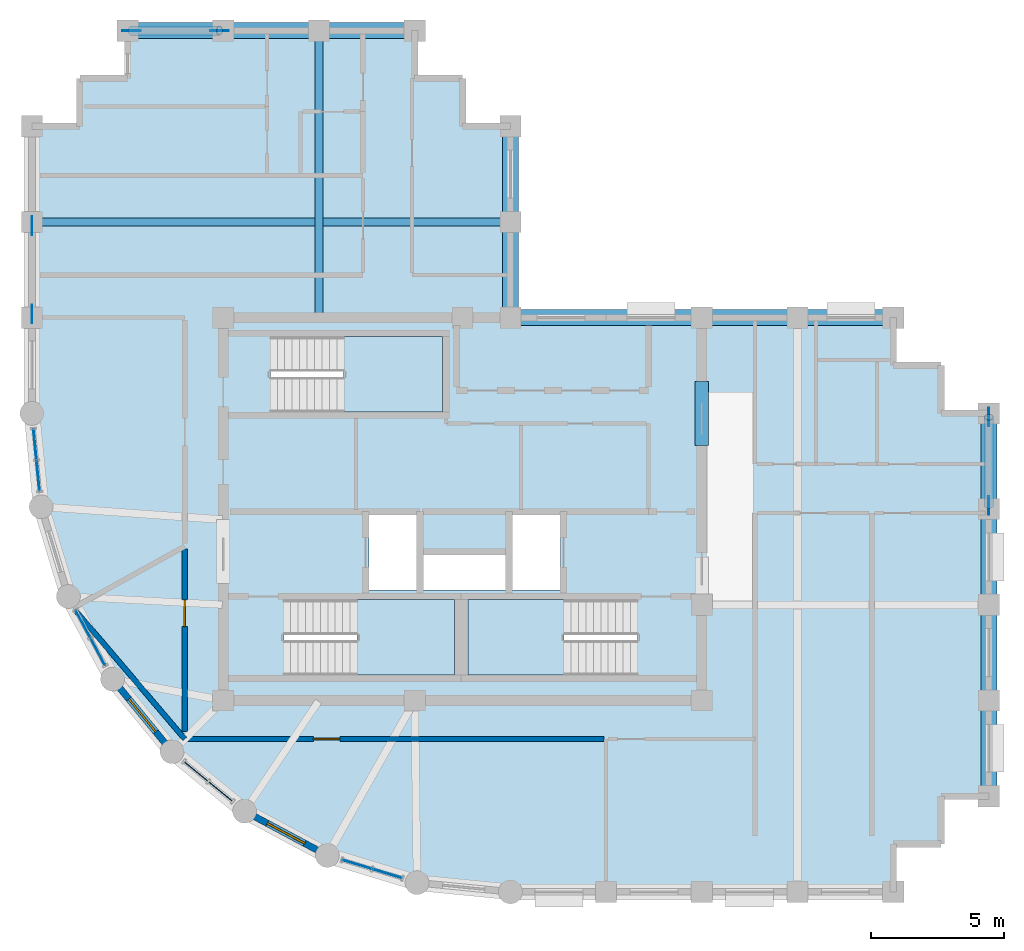
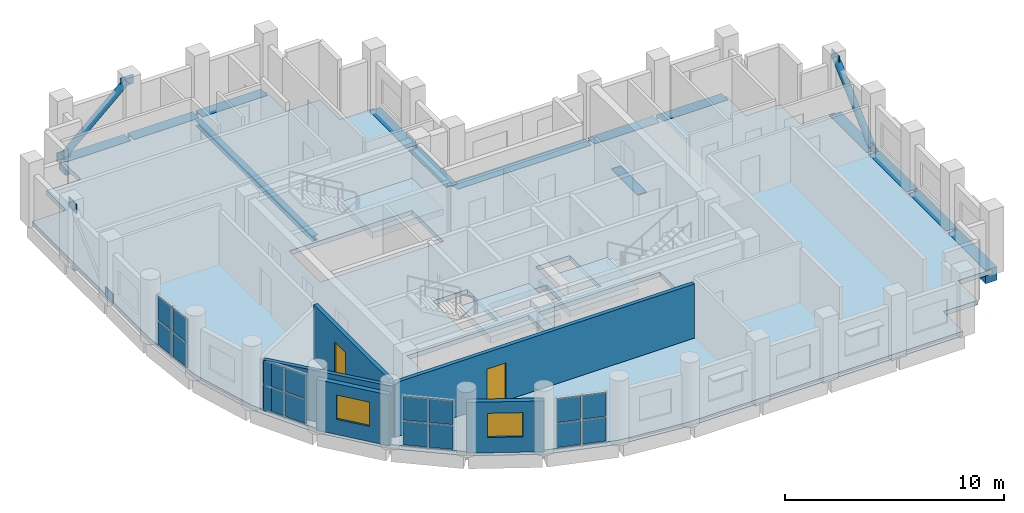
# One storey, part 6 of 11: 22 plates, 15 beams, 5 walls, 4 slabs, 2 doors, 2 members, 2 windows, 4 openings, 7 elements without a shape of their own.
"""IFC4 building model written with IfcOpenShell, lengths in metres."""

from ifc_helpers import new_model, si_unit, direction, frame, frame_2d, origin, origin_2d, place, context, subcontext, project, spatial, polyline, rectangle, hollow_circle, i_section, outline, extrude, material, layer, layer_set, material_profile, profile_set, type_object, element, fill, aggregate, save


model = new_model("IFC4")

# Units and contexts
model_context = context("Model", 3, precision=1e-05, world=origin(), true_north=direction((0.0, 1.0)))
body_context = subcontext(model_context, "Body", "Model", "MODEL_VIEW")
ifc_project = project(units=[si_unit("LENGTHUNIT", "METRE"), si_unit("AREAUNIT", "SQUARE_METRE"), si_unit("VOLUMEUNIT", "CUBIC_METRE"), si_unit("PLANEANGLEUNIT", "RADIAN"), si_unit("MASSUNIT", "GRAM", prefix="KILO")], contexts=[model_context])

# Site, building, storey
site_placement = place(None, origin())
site = spatial("IfcSite", under=ifc_project, at=site_placement, CompositionType="ELEMENT")
building_placement = place(site_placement, origin())
building = spatial("IfcBuilding", under=site, at=building_placement, Name="Solnavia Interchange Tower", CompositionType="ELEMENT")
storey_placement = place(building_placement, frame((0.0, 0.0, 273.800048828125)))
storey = spatial("IfcBuildingStorey", under=building, at=storey_placement, Name="L69", CompositionType="ELEMENT", Elevation=273.800048828125)

# Beams
ifc_material_1 = material(Name="Concrete C50/60", Category="concrete")
ifc_material_profile_1 = material_profile(ifc_material_1, rectangle(XDim=0.5, YDim=0.800048828125, at=origin_2d()), Name="RC 500x800")
ifc_profile_set_1 = profile_set([ifc_material_profile_1], Name="Concrete C50/60")
beam_type_1 = type_object("IfcBeamType", Name="Beam-Coupling-RC500x800", PredefinedType="LINTEL", material=ifc_profile_set_1)
beam_1_placement = place(storey_placement, frame((32.39990234375, 20.39990234375, -0.400146484375), z_axis=(0.0, 1.0, 0.0), x_axis=(-1.0, 0.0, 0.0)))
element("IfcBeam", 1, at=beam_1_placement, inside=storey, type_object=beam_type_1, Name="CPB-L69-E2 Core coupling lintel beam", PredefinedType="LINTEL", context=body_context, shape_type="SweptSolid", body=[
    extrude(rectangle(XDim=0.5, YDim=0.800048828125, at=origin_2d()), origin(), (0.0, 0.0, 1.0), 2.400146484375),
])
ifc_material_2 = material(Name="Steel S460", Category="steel")
ifc_material_profile_2 = material_profile(ifc_material_2, i_section(OverallWidth=0.300048828125, OverallDepth=0.300048828125, WebThickness=0.010986328125, FlangeThickness=0.01904296875, FilletRadius=0.027099609375, at=origin_2d()), Name="HEB 300")
ifc_profile_set_2 = profile_set([ifc_material_profile_2], Name="Steel S460")
beam_type_2 = type_object("IfcBeamType", Name="Beam-Girder-HEB300", PredefinedType="BEAM", material=ifc_profile_set_2)
beam_2_placement = place(storey_placement, frame((18.0, 25.280029296875, -0.400146484375), z_axis=(0.0, 1.0, 0.0), x_axis=(-1.0, 0.0, 0.0)))
element("IfcBeam", 2, at=beam_2_placement, inside=storey, type_object=beam_type_2, Name="GRD-L69-NS03 North wing spine girder", PredefinedType="BEAM", context=body_context, shape_type="SweptSolid", body=[
    extrude(i_section(OverallWidth=0.300048828125, OverallDepth=0.300048828125, WebThickness=0.010986328125, FlangeThickness=0.01904296875, FilletRadius=0.027099609375, at=origin_2d()), origin(), (0.0, 0.0, 1.0), 10.639892578125),
])
beam_3_placement = place(storey_placement, frame((7.280029296875, 28.800048828125, -0.400146484375), z_axis=(1.0, 0.0, 0.0), x_axis=(0.0, 1.0, 0.0)))
element("IfcBeam", 3, at=beam_3_placement, inside=storey, type_object=beam_type_2, Name="GRD-L69-NW04 North wing primary floor girder", PredefinedType="BEAM", context=body_context, shape_type="SweptSolid", body=[
    extrude(i_section(OverallWidth=0.300048828125, OverallDepth=0.300048828125, WebThickness=0.010986328125, FlangeThickness=0.01904296875, FilletRadius=0.027099609375, at=origin_2d()), origin(), (0.0, 0.0, 1.0), 17.840087890625),
])
ifc_material_profile_3 = material_profile(ifc_material_1, rectangle(XDim=0.60009765625, YDim=0.75, at=origin_2d()), Name="RC 600x750")
ifc_profile_set_3 = profile_set([ifc_material_profile_3], Name="Concrete C50/60")
beam_type_3 = type_object("IfcBeamType", Name="Beam-Spandrel-RC600x750", PredefinedType="SPANDREL", material=ifc_profile_set_3)
beam_4_placement = place(storey_placement, frame((43.199951171875, 7.280029296875, -0.375), z_axis=(0.0, 1.0, 0.0), x_axis=(-1.0, 0.0, 0.0)))
element("IfcBeam", 4, at=beam_4_placement, inside=storey, type_object=beam_type_3, Name="SPB-L69-13 Framed-tube perimeter spandrel beam", PredefinedType="SPANDREL", context=body_context, shape_type="SweptSolid", body=[
    extrude(rectangle(XDim=0.60009765625, YDim=0.75, at=origin_2d()), origin(), (0.0, 0.0, 1.0), 3.43994140625),
])
beam_5_placement = place(storey_placement, frame((43.199951171875, 10.8798828125, -0.375), z_axis=(0.0, 1.0, 0.0), x_axis=(-1.0, 0.0, 0.0)))
element("IfcBeam", 5, at=beam_5_placement, inside=storey, type_object=beam_type_3, Name="SPB-L69-14 Framed-tube perimeter spandrel beam", PredefinedType="SPANDREL", context=body_context, shape_type="SweptSolid", body=[
    extrude(rectangle(XDim=0.60009765625, YDim=0.75, at=origin_2d()), origin(), (0.0, 0.0, 1.0), 3.440185546875),
])
for number, where, z_axis, x_axis, name in (
    (6, (43.199951171875, 14.47998046875, -0.375), (0.0, 1.0, 0.0), (-1.0, 0.0, 0.0), "SPB-L69-15 Framed-tube perimeter spandrel beam"),
    (7, (43.199951171875, 18.080078125, -0.375), (0.0, 1.0, 0.0), (-1.0, 0.0, 0.0), "SPB-L69-16 Framed-tube perimeter spandrel beam"),
    (8, (39.52001953125, 25.199951171875, -0.375), (-1.0, 0.0, 0.0), (0.0, -1.0, 0.0), "SPB-L69-17 Framed-tube perimeter spandrel beam"),
    (9, (35.919921875, 25.199951171875, -0.375), (-1.0, 0.0, 0.0), (0.0, -1.0, 0.0), "SPB-L69-18 Framed-tube perimeter spandrel beam"),
):
    element("IfcBeam", number, at=place(storey_placement, frame(where, z_axis=z_axis, x_axis=x_axis)), inside=storey, type_object=beam_type_3, Name=name, PredefinedType="SPANDREL", context=body_context, shape_type="SweptSolid", body=[
        extrude(rectangle(XDim=0.60009765625, YDim=0.75, at=origin_2d()), origin(), (0.0, 0.0, 1.0), 3.43994140625),
    ])
beam_6_placement = place(storey_placement, frame((32.320068359375, 25.199951171875, -0.375), z_axis=(-1.0, 0.0, 0.0), x_axis=(0.0, -1.0, 0.0)))
element("IfcBeam", 10, at=beam_6_placement, inside=storey, type_object=beam_type_3, Name="SPB-L69-19 Framed-tube perimeter spandrel beam", PredefinedType="SPANDREL", context=body_context, shape_type="SweptSolid", body=[
    extrude(rectangle(XDim=0.60009765625, YDim=0.75, at=origin_2d()), origin(), (0.0, 0.0, 1.0), 7.0400390625),
])
beam_7_placement = place(storey_placement, frame((25.199951171875, 25.280029296875, -0.375), z_axis=(0.0, 1.0, 0.0), x_axis=(-1.0, 0.0, 0.0)))
element("IfcBeam", 11, at=beam_7_placement, inside=storey, type_object=beam_type_3, Name="SPB-L69-20 Framed-tube perimeter spandrel beam", PredefinedType="SPANDREL", context=body_context, shape_type="SweptSolid", body=[
    extrude(rectangle(XDim=0.60009765625, YDim=0.75, at=origin_2d()), origin(), (0.0, 0.0, 1.0), 3.43994140625),
])
beam_8_placement = place(storey_placement, frame((25.199951171875, 28.8798828125, -0.375), z_axis=(0.0, 1.0, 0.0), x_axis=(-1.0, 0.0, 0.0)))
element("IfcBeam", 12, at=beam_8_placement, inside=storey, type_object=beam_type_3, Name="SPB-L69-21 Framed-tube perimeter spandrel beam", PredefinedType="SPANDREL", context=body_context, shape_type="SweptSolid", body=[
    extrude(rectangle(XDim=0.60009765625, YDim=0.75, at=origin_2d()), origin(), (0.0, 0.0, 1.0), 3.440185546875),
])
for number, where, z_axis, x_axis, name in (
    (13, (21.52001953125, 36.0, -0.375), (-1.0, 0.0, 0.0), (0.0, -1.0, 0.0), "SPB-L69-22 Framed-tube perimeter spandrel beam"),
    (14, (17.919921875, 36.0, -0.375), (-1.0, 0.0, 0.0), (0.0, -1.0, 0.0), "SPB-L69-23 Framed-tube perimeter spandrel beam"),
):
    element("IfcBeam", number, at=place(storey_placement, frame(where, z_axis=z_axis, x_axis=x_axis)), inside=storey, type_object=beam_type_3, Name=name, PredefinedType="SPANDREL", context=body_context, shape_type="SweptSolid", body=[
        extrude(rectangle(XDim=0.60009765625, YDim=0.75, at=origin_2d()), origin(), (0.0, 0.0, 1.0), 3.43994140625),
    ])
beam_9_placement = place(storey_placement, frame((14.320068359375, 36.0, -0.375), z_axis=(-1.0, 0.0, 0.0), x_axis=(0.0, -1.0, 0.0)))
element("IfcBeam", 15, at=beam_9_placement, inside=storey, type_object=beam_type_3, Name="SPB-L69-24 Framed-tube perimeter spandrel beam", PredefinedType="SPANDREL", context=body_context, shape_type="SweptSolid", body=[
    extrude(rectangle(XDim=0.60009765625, YDim=0.75, at=origin_2d()), origin(), (0.0, 0.0, 1.0), 3.440185546875),
])

# Members
ifc_material_profile_4 = material_profile(ifc_material_2, hollow_circle(Radius=0.177734375, WallThickness=0.01611328125, at=origin_2d()), Name="CHS 355.6x16")
ifc_profile_set_4 = profile_set([ifc_material_profile_4], Name="Steel S460")
member_type = type_object("IfcMemberType", Name="Brace-Perim-CHS355", PredefinedType="BRACE", material=ifc_profile_set_4)
for number, where, z_axis, x_axis, name in (
    (16, (43.199951171875, 18.139892578125, 0.179931640625), (0.0, 0.74307946371, 0.669203190827), (-1.0, 0.0, 0.0), "BRC-L69-02 Perimeter tube diagonal brace"),
    (17, (10.93994140625, 36.0, 0.179931640625), (0.74307946371, 0.0, 0.669203190827), (0.0, 1.0, 0.0), "BRC-L69-03 Perimeter tube diagonal brace"),
):
    element("IfcMember", number, at=place(storey_placement, frame(where, z_axis=z_axis, x_axis=x_axis)), inside=storey, type_object=member_type, Name=name, PredefinedType="BRACE", context=body_context, shape_type="SweptSolid", body=[
        extrude(hollow_circle(Radius=0.177734375, WallThickness=0.01611328125, at=origin_2d()), origin(), (0.0, 0.0, 1.0), 4.468017578125),
    ])

# Curtain wall, plates
ifc_material_3 = material(Name="Aluminium Alloy 6063-T6", Category="aluminium")
ifc_layer_1 = layer(ifc_material_3, 0.239990234375)
ifc_layer_set_1 = layer_set([ifc_layer_1], Name="Aluminium Alloy 6063-T6")
curtain_wall_type = type_object("IfcCurtainWallType", Name="CurtainWall-Drum-CTW2", PredefinedType="NOTDEFINED", material=ifc_layer_set_1)
curtain_wall_1_placement = place(storey_placement, origin())
curtain_wall_1 = element("IfcCurtainWall", 18, at=curtain_wall_1_placement, inside=storey, type_object=curtain_wall_type, Name="CTW-L69-D37 CTW-2 curtain wall", PredefinedType="NOTDEFINED")
ifc_material_4 = material(Name="Double-Glazed Low-E IGU Glass", Category="glass")
ifc_layer_2 = layer(ifc_material_4, 0.031982421875)
ifc_layer_set_2 = layer_set([ifc_layer_2], Name="Double-Glazed Low-E IGU Glass")
plate_type_1 = type_object("IfcPlateType", Name="CW-Panel-Solar-32", PredefinedType="CURTAIN_PANEL", material=ifc_layer_set_2)
plate_1_placement = place(storey_placement, frame((7.314697265625, 20.435791015625, 0.06494140625), z_axis=(0.0, 0.0, 1.0), x_axis=(0.098043088306, -0.995182170678, 0.0)))
plate_1 = element("IfcPlate", 19, at=plate_1_placement, type_object=plate_type_1, Name="CTW-2 panel 1.1", PredefinedType="CURTAIN_PANEL", context=body_context, shape_type="SweptSolid", body=[
    extrude(rectangle(XDim=1.114501953125, YDim=0.031982421875, at=origin_2d()), origin(), (0.0, 0.0, 1.0), 1.3173828125),
])
plate_2_placement = place(storey_placement, frame((7.314697265625, 20.435791015625, 1.447509765625), z_axis=(0.0, 0.0, 1.0), x_axis=(0.098043088306, -0.995182170678, 0.0)))
plate_2 = element("IfcPlate", 20, at=plate_2_placement, type_object=plate_type_1, Name="CTW-2 panel 1.2", PredefinedType="CURTAIN_PANEL", context=body_context, shape_type="SweptSolid", body=[
    extrude(rectangle(XDim=1.114501953125, YDim=0.031982421875, at=origin_2d()), origin(), (0.0, 0.0, 1.0), 1.3173828125),
])
plate_3_placement = place(storey_placement, frame((7.431396484375, 19.252197265625, 0.06494140625), z_axis=(0.0, 0.0, 1.0), x_axis=(0.098043088306, -0.995182170678, 0.0)))
plate_3 = element("IfcPlate", 21, at=plate_3_placement, type_object=plate_type_1, Name="CTW-2 panel 2.1", PredefinedType="CURTAIN_PANEL", context=body_context, shape_type="SweptSolid", body=[
    extrude(rectangle(XDim=1.114501953125, YDim=0.031982421875, at=origin_2d()), origin(), (0.0, 0.0, 1.0), 1.3173828125),
])
plate_4_placement = place(storey_placement, frame((7.431396484375, 19.252197265625, 1.447509765625), z_axis=(0.0, 0.0, 1.0), x_axis=(0.098043088306, -0.995182170678, 0.0)))
plate_4 = element("IfcPlate", 22, at=plate_4_placement, type_object=plate_type_1, Name="CTW-2 panel 2.2", PredefinedType="CURTAIN_PANEL", context=body_context, shape_type="SweptSolid", body=[
    extrude(rectangle(XDim=1.114501953125, YDim=0.031982421875, at=origin_2d()), origin(), (0.0, 0.0, 1.0), 1.3173828125),
])
aggregate(curtain_wall_1, [plate_1, plate_2, plate_3, plate_4])

curtain_wall_2_placement = place(storey_placement, origin())
curtain_wall_2 = element("IfcCurtainWall", 23, at=curtain_wall_2_placement, inside=storey, type_object=curtain_wall_type, Name="CTW-L69-D39 CTW-2 curtain wall", PredefinedType="NOTDEFINED")
plate_5_placement = place(storey_placement, frame((9.12158203125, 13.680419921875, 0.06494140625), z_axis=(0.0, 0.0, 1.0), x_axis=(0.471560876964, -0.881833509976, 0.0)))
plate_5 = element("IfcPlate", 24, at=plate_5_placement, type_object=plate_type_1, Name="CTW-2 panel 1.1", PredefinedType="CURTAIN_PANEL", context=body_context, shape_type="SweptSolid", body=[
    extrude(rectangle(XDim=1.114501953125, YDim=0.031982421875, at=origin_2d()), origin(), (0.0, 0.0, 1.0), 1.3173828125),
])
plate_6_placement = place(storey_placement, frame((9.12158203125, 13.680419921875, 1.447509765625), z_axis=(0.0, 0.0, 1.0), x_axis=(0.471560876964, -0.881833509976, 0.0)))
plate_6 = element("IfcPlate", 25, at=plate_6_placement, type_object=plate_type_1, Name="CTW-2 panel 1.2", PredefinedType="CURTAIN_PANEL", context=body_context, shape_type="SweptSolid", body=[
    extrude(rectangle(XDim=1.114501953125, YDim=0.031982421875, at=origin_2d()), origin(), (0.0, 0.0, 1.0), 1.3173828125),
])
plate_7_placement = place(storey_placement, frame((9.682373046875, 12.631591796875, 0.06494140625), z_axis=(0.0, 0.0, 1.0), x_axis=(0.471560876964, -0.881833509976, 0.0)))
plate_7 = element("IfcPlate", 26, at=plate_7_placement, type_object=plate_type_1, Name="CTW-2 panel 2.1", PredefinedType="CURTAIN_PANEL", context=body_context, shape_type="SweptSolid", body=[
    extrude(rectangle(XDim=1.114501953125, YDim=0.031982421875, at=origin_2d()), origin(), (0.0, 0.0, 1.0), 1.3173828125),
])
plate_8_placement = place(storey_placement, frame((9.682373046875, 12.631591796875, 1.447509765625), z_axis=(0.0, 0.0, 1.0), x_axis=(0.471560876964, -0.881833509976, 0.0)))
plate_8 = element("IfcPlate", 27, at=plate_8_placement, type_object=plate_type_1, Name="CTW-2 panel 2.2", PredefinedType="CURTAIN_PANEL", context=body_context, shape_type="SweptSolid", body=[
    extrude(rectangle(XDim=1.114501953125, YDim=0.031982421875, at=origin_2d()), origin(), (0.0, 0.0, 1.0), 1.3173828125),
])
aggregate(curtain_wall_2, [plate_5, plate_6, plate_7, plate_8])

curtain_wall_3_placement = place(storey_placement, origin())
curtain_wall_3 = element("IfcCurtainWall", 28, at=curtain_wall_3_placement, inside=storey, type_object=curtain_wall_type, Name="CTW-L69-D41 CTW-2 curtain wall", PredefinedType="NOTDEFINED")
plate_9_placement = place(storey_placement, frame((13.376220703125, 8.130126953125, 0.06494140625), z_axis=(0.0, 0.0, 1.0), x_axis=(0.773103093557, -0.634280384951, 0.0)))
plate_9 = element("IfcPlate", 29, at=plate_9_placement, type_object=plate_type_1, Name="CTW-2 panel 1.1", PredefinedType="CURTAIN_PANEL", context=body_context, shape_type="SweptSolid", body=[
    extrude(rectangle(XDim=1.1142578125, YDim=0.031982421875, at=origin_2d()), origin(), (0.0, 0.0, 1.0), 1.3173828125),
])
plate_10_placement = place(storey_placement, frame((13.376220703125, 8.130126953125, 1.447509765625), z_axis=(0.0, 0.0, 1.0), x_axis=(0.773103093557, -0.634280384951, 0.0)))
plate_10 = element("IfcPlate", 30, at=plate_10_placement, type_object=plate_type_1, Name="CTW-2 panel 1.2", PredefinedType="CURTAIN_PANEL", context=body_context, shape_type="SweptSolid", body=[
    extrude(rectangle(XDim=1.1142578125, YDim=0.031982421875, at=origin_2d()), origin(), (0.0, 0.0, 1.0), 1.3173828125),
])
plate_11_placement = place(storey_placement, frame((14.295654296875, 7.375732421875, 0.06494140625), z_axis=(0.0, 0.0, 1.0), x_axis=(0.773103093557, -0.634280384951, 0.0)))
plate_11 = element("IfcPlate", 31, at=plate_11_placement, type_object=plate_type_1, Name="CTW-2 panel 2.1", PredefinedType="CURTAIN_PANEL", context=body_context, shape_type="SweptSolid", body=[
    extrude(rectangle(XDim=1.1142578125, YDim=0.031982421875, at=origin_2d()), origin(), (0.0, 0.0, 1.0), 1.3173828125),
])
plate_12_placement = place(storey_placement, frame((14.295654296875, 7.375732421875, 1.447509765625), z_axis=(0.0, 0.0, 1.0), x_axis=(0.773103093557, -0.634280384951, 0.0)))
plate_12 = element("IfcPlate", 32, at=plate_12_placement, type_object=plate_type_1, Name="CTW-2 panel 2.2", PredefinedType="CURTAIN_PANEL", context=body_context, shape_type="SweptSolid", body=[
    extrude(rectangle(XDim=1.1142578125, YDim=0.031982421875, at=origin_2d()), origin(), (0.0, 0.0, 1.0), 1.3173828125),
])
aggregate(curtain_wall_3, [plate_9, plate_10, plate_11, plate_12])

curtain_wall_4_placement = place(storey_placement, origin())
curtain_wall_4 = element("IfcCurtainWall", 33, at=curtain_wall_4_placement, inside=storey, type_object=curtain_wall_type, Name="CTW-L69-D43 CTW-2 curtain wall", PredefinedType="NOTDEFINED")
plate_13_placement = place(storey_placement, frame((19.43115234375, 4.630615234375, 0.06494140625), z_axis=(0.0, 0.0, 1.0), x_axis=(0.956942072515, -0.290278951786, 0.0)))
plate_13 = element("IfcPlate", 34, at=plate_13_placement, type_object=plate_type_1, Name="CTW-2 panel 1.1", PredefinedType="CURTAIN_PANEL", context=body_context, shape_type="SweptSolid", body=[
    extrude(rectangle(XDim=1.114013671875, YDim=0.031982421875, at=origin_2d()), origin(), (0.0, 0.0, 1.0), 1.3173828125),
])
plate_14_placement = place(storey_placement, frame((19.43115234375, 4.630615234375, 1.447509765625), z_axis=(0.0, 0.0, 1.0), x_axis=(0.956942072515, -0.290278951786, 0.0)))
plate_14 = element("IfcPlate", 35, at=plate_14_placement, type_object=plate_type_1, Name="CTW-2 panel 1.2", PredefinedType="CURTAIN_PANEL", context=body_context, shape_type="SweptSolid", body=[
    extrude(rectangle(XDim=1.114013671875, YDim=0.031982421875, at=origin_2d()), origin(), (0.0, 0.0, 1.0), 1.3173828125),
])
plate_15_placement = place(storey_placement, frame((20.56884765625, 4.285400390625, 0.06494140625), z_axis=(0.0, 0.0, 1.0), x_axis=(0.956942072515, -0.290278951786, 0.0)))
plate_15 = element("IfcPlate", 36, at=plate_15_placement, type_object=plate_type_1, Name="CTW-2 panel 2.1", PredefinedType="CURTAIN_PANEL", context=body_context, shape_type="SweptSolid", body=[
    extrude(rectangle(XDim=1.114013671875, YDim=0.031982421875, at=origin_2d()), origin(), (0.0, 0.0, 1.0), 1.3173828125),
])
plate_16_placement = place(storey_placement, frame((20.56884765625, 4.285400390625, 1.447509765625), z_axis=(0.0, 0.0, 1.0), x_axis=(0.956942072515, -0.290278951786, 0.0)))
plate_16 = element("IfcPlate", 37, at=plate_16_placement, type_object=plate_type_1, Name="CTW-2 panel 2.2", PredefinedType="CURTAIN_PANEL", context=body_context, shape_type="SweptSolid", body=[
    extrude(rectangle(XDim=1.114013671875, YDim=0.031982421875, at=origin_2d()), origin(), (0.0, 0.0, 1.0), 1.3173828125),
])
aggregate(curtain_wall_4, [plate_13, plate_14, plate_15, plate_16])

# Plates
ifc_layer_3 = layer(ifc_material_2, 0.030029296875)
ifc_layer_set_3 = layer_set([ifc_layer_3], Name="Steel S460")
plate_type_2 = type_object("IfcPlateType", Name="Plate-Gusset-700x520x30", PredefinedType="USERDEFINED", material=ifc_layer_set_3)
for number, where, z_axis, x_axis, name in (
    (38, (7.199951171875, 25.340087890625, -0.080078125), (0.0, 0.0, 1.0), (0.0, 1.0, 0.0), "PLT-L69-GP01 Perimeter brace gusset plate"),
    (39, (7.199951171875, 28.659912109375, 2.909912109375), (0.0, 0.0, 1.0), (0.0, 1.0, 0.0), "PLT-L69-GP02 Perimeter brace gusset plate"),
    (40, (43.199951171875, 18.139892578125, -0.080078125), (0.0, 0.0, 1.0), (0.0, 1.0, 0.0), "PLT-L69-GP03 Perimeter brace gusset plate"),
    (41, (43.199951171875, 21.4599609375, 2.909912109375), (0.0, 0.0, 1.0), (0.0, 1.0, 0.0), "PLT-L69-GP04 Perimeter brace gusset plate"),
    (42, (10.93994140625, 36.0, -0.080078125), (0.0, 0.0, 1.0), (1.0, 0.0, 0.0), "PLT-L69-GP05 Perimeter brace gusset plate"),
    (43, (14.260009765625, 36.0, 2.909912109375), (0.0, 0.0, 1.0), (1.0, 0.0, 0.0), "PLT-L69-GP06 Perimeter brace gusset plate"),
):
    element("IfcPlate", number, at=place(storey_placement, frame(where, z_axis=z_axis, x_axis=x_axis)), inside=storey, type_object=plate_type_2, Name=name, ObjectType="GUSSET PLATE", PredefinedType="USERDEFINED", context=body_context, shape_type="SweptSolid", body=[
        extrude(rectangle(XDim=0.699951171875, YDim=0.030029296875, at=origin_2d()), origin(), (0.0, 0.0, 1.0), 0.52001953125),
    ])

# Stair, slab
ifc_material_5 = material(Name="Concrete C40/50", Category="concrete")
stair_type = type_object("IfcStairType", Name="Stair-Dogleg-RC", PredefinedType="HALF_TURN_STAIR", material=ifc_material_5)
stair_1_placement = place(storey_placement, origin())
stair_1 = element("IfcStair", 44, at=stair_1_placement, inside=storey, type_object=stair_type, Name="L69 Core exit stair 1", PredefinedType="HALF_TURN_STAIR")
ifc_layer_4 = layer(ifc_material_5, 0.35009765625)
ifc_layer_set_4 = layer_set([ifc_layer_4], Name="Concrete C40/50")
slab_type_1 = type_object("IfcSlabType", Name="Slab-StairLanding-350", PredefinedType="LANDING", material=ifc_layer_set_4)
slab_1_placement = place(storey_placement, frame((0.0, 0.0, 1.449951171875)))
slab_1 = element("IfcSlab", 45, at=slab_1_placement, type_object=slab_type_1, Name="ST-1 landing 1", PredefinedType="LANDING", context=body_context, shape_type="SweptSolid", body=[
    extrude(outline(polyline([(19.427978515625, 11.75), (23.10009765625, 11.75), (23.10009765625, 14.590087890625), (19.427978515625, 14.590087890625), (19.427978515625, 11.75)])), origin(), (0.0, 0.0, 1.0), 0.35009765625),
])
aggregate(stair_1, [slab_1])

stair_2_placement = place(storey_placement, origin())
stair_2 = element("IfcStair", 46, at=stair_2_placement, inside=storey, type_object=stair_type, Name="L69 Core exit stair 2", PredefinedType="HALF_TURN_STAIR")
slab_2_placement = place(storey_placement, frame((0.0, 0.0, 1.449951171875)))
slab_2 = element("IfcSlab", 47, at=slab_2_placement, type_object=slab_type_1, Name="ST-2 landing 1", PredefinedType="LANDING", context=body_context, shape_type="SweptSolid", body=[
    extrude(outline(polyline([(23.60009765625, 11.75), (27.221923828125, 11.75), (27.221923828125, 14.590087890625), (23.60009765625, 14.590087890625), (23.60009765625, 11.75)])), origin(), (0.0, 0.0, 1.0), 0.35009765625),
])
aggregate(stair_2, [slab_2])

stair_3_placement = place(storey_placement, origin())
stair_3 = element("IfcStair", 48, at=stair_3_placement, inside=storey, type_object=stair_type, Name="L69 Core exit stair 3", PredefinedType="HALF_TURN_STAIR")
slab_3_placement = place(storey_placement, frame((0.0, 0.0, 1.449951171875)))
slab_3 = element("IfcSlab", 49, at=slab_3_placement, type_object=slab_type_1, Name="ST-3 landing 1", PredefinedType="LANDING", context=body_context, shape_type="SweptSolid", body=[
    extrude(outline(polyline([(18.927978515625, 21.64990234375), (22.64990234375, 21.64990234375), (22.64990234375, 24.489990234375), (18.927978515625, 24.489990234375), (18.927978515625, 21.64990234375)])), origin(), (0.0, 0.0, 1.0), 0.35009765625),
])
aggregate(stair_3, [slab_3])

# Slab
ifc_layer_5 = layer(ifc_material_5, 0.25)
ifc_layer_set_5 = layer_set([ifc_layer_5], Name="Concrete C40/50")
slab_type_2 = type_object("IfcSlabType", Name="Slab-Tower-250", PredefinedType="FLOOR", material=ifc_layer_set_5)
slab_4_placement = place(storey_placement, frame((0.0, 0.0, -0.25)))
element("IfcSlab", 50, at=slab_4_placement, inside=storey, type_object=slab_type_2, Name="SLB-L69-01 Structural floor slab", PredefinedType="FLOOR", context=body_context, shape_type="SweptSolid", body=[
    extrude(outline(polyline([(25.199951171875, 3.60009765625), (39.60009765625, 3.60009765625), (39.60009765625, 5.39990234375), (41.39990234375, 5.39990234375), (41.39990234375, 7.199951171875), (43.199951171875, 7.199951171875), (43.199951171875, 21.60009765625), (41.39990234375, 21.60009765625), (41.39990234375, 23.39990234375), (39.60009765625, 23.39990234375), (39.60009765625, 25.199951171875), (25.199951171875, 25.199951171875), (25.199951171875, 32.39990234375), (23.39990234375, 32.39990234375), (23.39990234375, 34.199951171875), (21.60009765625, 34.199951171875), (21.60009765625, 36.0), (10.800048828125, 36.0), (10.800048828125, 34.199951171875), (9.0, 34.199951171875), (9.0, 32.39990234375), (7.199951171875, 32.39990234375), (7.199951171875, 21.60009765625), (7.5458984375, 18.087890625), (8.570068359375, 14.7119140625), (10.23388671875, 11.60009765625), (12.471923828125, 8.8720703125), (15.199951171875, 6.634033203125), (18.31201171875, 4.969970703125), (21.68798828125, 3.946044921875), (25.199951171875, 3.60009765625)]), holes=[polyline([(16.675048828125, 11.75), (23.10009765625, 11.75), (23.10009765625, 14.590087890625), (16.675048828125, 14.590087890625), (16.675048828125, 11.75)]), polyline([(23.60009765625, 11.75), (29.97509765625, 11.75), (29.97509765625, 14.590087890625), (23.60009765625, 14.590087890625), (23.60009765625, 11.75)]), polyline([(16.175048828125, 21.64990234375), (22.64990234375, 21.64990234375), (22.64990234375, 24.489990234375), (16.175048828125, 24.489990234375), (16.175048828125, 21.64990234375)]), polyline([(19.8798828125, 14.9599609375), (21.679931640625, 14.9599609375), (21.679931640625, 17.780029296875), (19.8798828125, 17.780029296875), (19.8798828125, 14.9599609375)]), polyline([(25.280029296875, 14.9599609375), (27.080078125, 14.9599609375), (27.080078125, 17.780029296875), (25.280029296875, 17.780029296875), (25.280029296875, 14.9599609375)]), polyline([(21.919921875, 14.9599609375), (25.02001953125, 14.9599609375), (25.02001953125, 16.280029296875), (21.919921875, 16.280029296875), (21.919921875, 14.9599609375)])]), origin(), (0.0, 0.0, 1.0), 0.25),
])

# Wall
ifc_material_6 = material(Name="Gypsum Acoustic Twin-Stud & Mineral Wool", Category="gypsum")
ifc_layer_6 = layer(ifc_material_6, 0.199951171875)
ifc_layer_set_6 = layer_set([ifc_layer_6], Name="Gypsum Acoustic Twin-Stud & Mineral Wool")
wall_type_1 = type_object("IfcWallType", Name="Wall-ApartmentParty-200", PredefinedType="PARTITIONING", material=ifc_layer_set_6)
wall_1_placement = place(storey_placement, frame((12.949951171875, 9.35009765625, 0.0), z_axis=(0.0, 0.0, 1.0), x_axis=(-0.648005936971, 0.76163528388, 0.0)))
element("IfcWall", 51, at=wall_1_placement, inside=storey, type_object=wall_type_1, Name="PTW-L69-09 Interior partition wall", PredefinedType="PARTITIONING", context=body_context, shape_type="SweptSolid", body=[
    extrude(rectangle(XDim=6.282470703125, YDim=0.199951171875, at=frame_2d((3.14111328125, 0.0))), origin(), (0.0, 0.0, 1.0), 2.829833984375),
])

# Wall, opening, door
wall_2_placement = place(storey_placement, frame((12.949951171875, 9.627685546875, 0.0), z_axis=(0.0, 0.0, 1.0), x_axis=(0.0, 1.0, 0.0)))
wall_2 = element("IfcWall", 52, at=wall_2_placement, inside=storey, type_object=wall_type_1, Name="PTW-L69-12 Interior partition wall", PredefinedType="PARTITIONING", context=body_context, shape_type="SweptSolid", body=[
    extrude(rectangle(XDim=6.868408203125, YDim=0.199951171875, at=frame_2d((3.43408203125, 0.0))), origin(), (0.0, 0.0, 1.0), 3.030029296875),
])
opening_1_placement = place(wall_2_placement, frame((3.952880859375, 0.0, 0.0)))
opening_1 = element("IfcOpeningElement", 53, at=opening_1_placement, cuts=wall_2, Name="Opening DR-07", PredefinedType="OPENING", context=body_context, shape_type="SweptSolid", body=[
    extrude(rectangle(XDim=1.0, YDim=2.10009765625, at=frame_2d((0.5, 1.050048828125))), frame((0.0, 0.10986328125, 0.0), z_axis=(0.0, -1.0, 0.0), x_axis=(1.0, 0.0, 0.0)), (0.0, 0.0, 1.0), 0.219970703125),
])
ifc_material_7 = material(Name="Timber & Acoustic Glazed Office Door", Category="wood")
door_type = type_object("IfcDoorType", Name="Door-Office-1000x2100", OperationType="SINGLE_SWING_RIGHT", PredefinedType="DOOR", material=ifc_material_7)
door_1_placement = place(opening_1_placement, origin())
door_1 = element("IfcDoor", 54, at=door_1_placement, inside=storey, type_object=door_type, Name="DR-L69-04 Interior room door", OperationType="SINGLE_SWING_RIGHT", OverallHeight=2.10009765625, OverallWidth=1.0, PredefinedType="DOOR", context=body_context, shape_type="SweptSolid", body=[
    extrude(rectangle(XDim=1.0, YDim=2.10009765625, at=frame_2d((0.5, 1.050048828125))), frame((0.0, 0.02490234375, 0.0), z_axis=(0.0, -1.0, 0.0), x_axis=(1.0, 0.0, 0.0)), (0.0, 0.0, 1.0), 0.050048828125),
])
fill(opening_1, door_1)

wall_3_placement = place(storey_placement, frame((12.949951171875, 9.35009765625, 0.0), z_axis=(0.0, 0.0, 1.0), x_axis=(1.0, 0.0, 0.0)))
wall_3 = element("IfcWall", 55, at=wall_3_placement, inside=storey, type_object=wall_type_1, Name="PTW-L69-13 Interior partition wall", PredefinedType="PARTITIONING", context=body_context, shape_type="SweptSolid", body=[
    extrude(rectangle(XDim=15.77099609375, YDim=0.199951171875, at=frame_2d((7.885498046875, 0.0))), origin(), (0.0, 0.0, 1.0), 3.02001953125),
])
opening_2_placement = place(wall_3_placement, frame((4.8359375, 0.0, 0.0)))
opening_2 = element("IfcOpeningElement", 56, at=opening_2_placement, cuts=wall_3, Name="Opening DR-07", PredefinedType="OPENING", context=body_context, shape_type="SweptSolid", body=[
    extrude(rectangle(XDim=1.0, YDim=2.10009765625, at=frame_2d((0.5, 1.050048828125))), frame((0.0, 0.10986328125, 0.0), z_axis=(0.0, -1.0, 0.0), x_axis=(1.0, 0.0, 0.0)), (0.0, 0.0, 1.0), 0.219970703125),
])
door_2_placement = place(opening_2_placement, origin())
door_2 = element("IfcDoor", 57, at=door_2_placement, inside=storey, type_object=door_type, Name="DR-L69-05 Interior room door", OperationType="SINGLE_SWING_LEFT", OverallHeight=2.10009765625, OverallWidth=1.0, PredefinedType="DOOR", context=body_context, shape_type="SweptSolid", body=[
    extrude(rectangle(XDim=1.0, YDim=2.10009765625, at=frame_2d((0.5, 1.050048828125))), frame((0.0, 0.02490234375, 0.0), z_axis=(0.0, -1.0, 0.0), x_axis=(1.0, 0.0, 0.0)), (0.0, 0.0, 1.0), 0.050048828125),
])
fill(opening_2, door_2)

# Wall, opening, window
ifc_layer_7 = layer(ifc_material_5, 0.25)
ifc_layer_set_7 = layer_set([ifc_layer_7], Name="Concrete C40/50")
wall_type_2 = type_object("IfcWallType", Name="Wall-ExtSpandrel-250", PredefinedType="STANDARD", material=ifc_layer_set_7)
wall_4_placement = place(storey_placement, frame((12.471923828125, 8.8720703125, 0.0), z_axis=(0.0, 0.0, 1.0), x_axis=(-0.634258295121, 0.773121216285, 0.0)))
wall_4 = element("IfcWall", 58, at=wall_4_placement, inside=storey, type_object=wall_type_2, Name="EXW-L69-40 Exterior precast spandrel wall", PredefinedType="STANDARD", context=body_context, shape_type="SweptSolid", body=[
    extrude(rectangle(XDim=3.528564453125, YDim=0.25, at=frame_2d((1.76416015625, 0.0))), origin(), (0.0, 0.0, 1.0), 2.829833984375),
])
opening_3_placement = place(wall_4_placement, frame((0.964111328125, 0.0, 0.85009765625)))
opening_3 = element("IfcOpeningElement", 59, at=opening_3_placement, cuts=wall_4, Name="Opening WIN-04", PredefinedType="OPENING", context=body_context, shape_type="SweptSolid", body=[
    extrude(rectangle(XDim=1.60009765625, YDim=1.35009765625, at=frame_2d((0.800048828125, 0.675048828125))), frame((0.0, 0.135009765625, 0.0), z_axis=(0.0, -1.0, 0.0), x_axis=(1.0, 0.0, 0.0)), (0.0, 0.0, 1.0), 0.27001953125),
])
ifc_material_8 = material(Name="Thermal-Break Aluminium & Low-E Glass", Category="aluminium")
window_type = type_object("IfcWindowType", Name="Window-Drum-1600x1350", PartitioningType="SINGLE_PANEL", PredefinedType="WINDOW", material=ifc_material_8)
window_1_placement = place(opening_3_placement, origin())
window_1 = element("IfcWindow", 60, at=window_1_placement, inside=storey, type_object=window_type, Name="WIN-L69-40 Facade ribbon window", OverallHeight=1.35009765625, OverallWidth=1.60009765625, PartitioningType="SINGLE_PANEL", PredefinedType="WINDOW", context=body_context, shape_type="SweptSolid", body=[
    extrude(rectangle(XDim=1.60009765625, YDim=1.35009765625, at=frame_2d((0.800048828125, 0.675048828125))), frame((0.0, 0.030029296875, 0.0), z_axis=(0.0, -1.0, 0.0), x_axis=(1.0, 0.0, 0.0)), (0.0, 0.0, 1.0), 0.06005859375),
])
fill(opening_3, window_1)

wall_5_placement = place(storey_placement, frame((18.31201171875, 4.969970703125, 0.0), z_axis=(0.0, 0.0, 1.0), x_axis=(-0.881846862014, 0.471535907389, 0.0)))
wall_5 = element("IfcWall", 61, at=wall_5_placement, inside=storey, type_object=wall_type_2, Name="EXW-L69-42 Exterior precast spandrel wall", PredefinedType="STANDARD", context=body_context, shape_type="SweptSolid", body=[
    extrude(rectangle(XDim=3.529052734375, YDim=0.25, at=frame_2d((1.7646484375, 0.0))), origin(), (0.0, 0.0, 1.0), 2.829833984375),
])
opening_4_placement = place(wall_5_placement, frame((0.964111328125, 0.0, 0.85009765625)))
opening_4 = element("IfcOpeningElement", 62, at=opening_4_placement, cuts=wall_5, Name="Opening WIN-04", PredefinedType="OPENING", context=body_context, shape_type="SweptSolid", body=[
    extrude(rectangle(XDim=1.60009765625, YDim=1.35009765625, at=frame_2d((0.800048828125, 0.675048828125))), frame((0.0, 0.135009765625, 0.0), z_axis=(0.0, -1.0, 0.0), x_axis=(1.0, 0.0, 0.0)), (0.0, 0.0, 1.0), 0.27001953125),
])
window_2_placement = place(opening_4_placement, origin())
window_2 = element("IfcWindow", 63, at=window_2_placement, inside=storey, type_object=window_type, Name="WIN-L69-42 Facade ribbon window", OverallHeight=1.35009765625, OverallWidth=1.60009765625, PartitioningType="SINGLE_PANEL", PredefinedType="WINDOW", context=body_context, shape_type="SweptSolid", body=[
    extrude(rectangle(XDim=1.60009765625, YDim=1.35009765625, at=frame_2d((0.800048828125, 0.675048828125))), frame((0.0, 0.030029296875, 0.0), z_axis=(0.0, -1.0, 0.0), x_axis=(1.0, 0.0, 0.0)), (0.0, 0.0, 1.0), 0.06005859375),
])
fill(opening_4, window_2)

save(model, "model.ifc")
